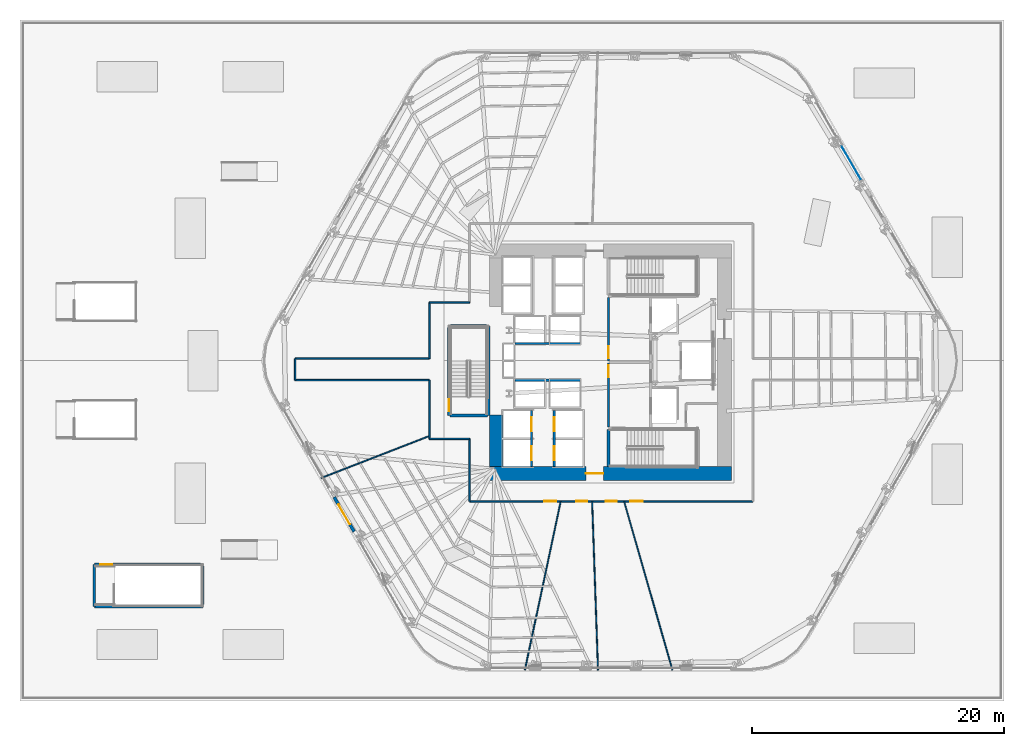
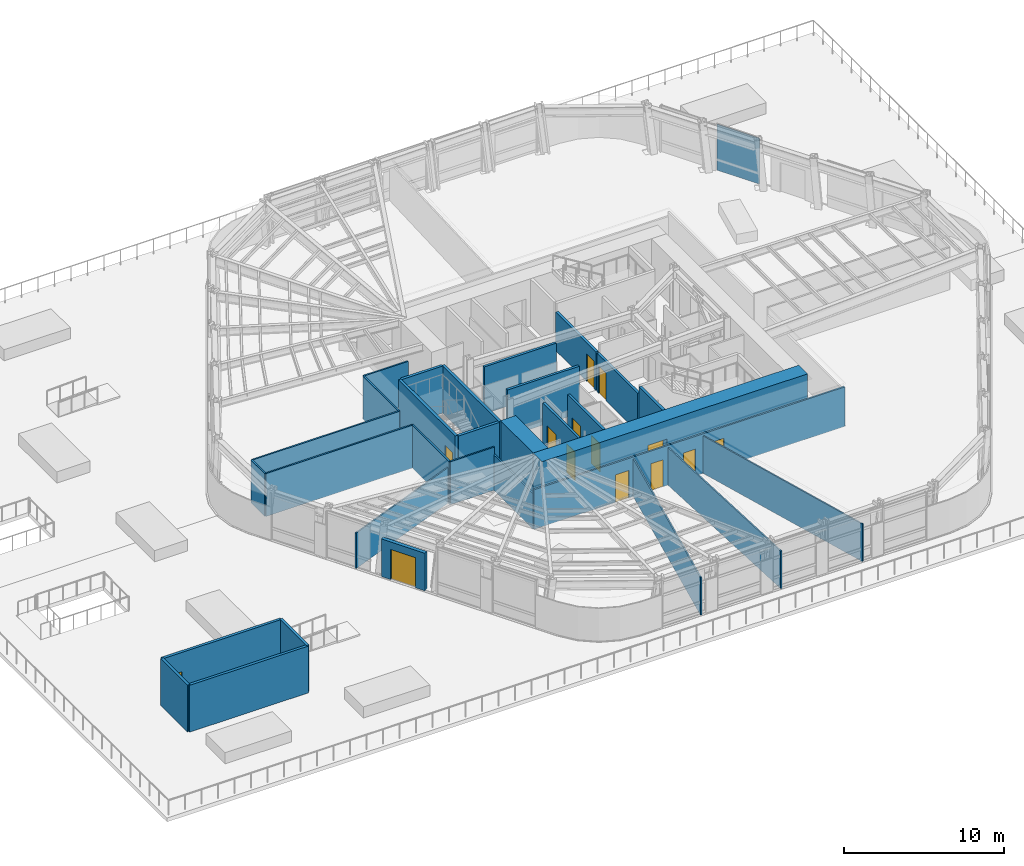
# One storey, part 8 of 18: 31 walls, 14 doors, 1 plate, 14 openings, 1 element without a shape of its own.
"""IFC4 building model written with IfcOpenShell, lengths in metres."""

from ifc_helpers import new_model, si_unit, direction, frame, frame_2d, origin, origin_2d, place, context, subcontext, project, spatial, rectangle, extrude, material, layer, layer_set, type_object, element, fill, aggregate, save


model = new_model("IFC4")

# Units and contexts
model_context = context("Model", 3, precision=1e-05, world=origin(), true_north=direction((0.0, 1.0)))
body_context = subcontext(model_context, "Body", "Model", "MODEL_VIEW")
ifc_project = project(units=[si_unit("LENGTHUNIT", "METRE"), si_unit("AREAUNIT", "SQUARE_METRE"), si_unit("VOLUMEUNIT", "CUBIC_METRE"), si_unit("PLANEANGLEUNIT", "RADIAN"), si_unit("MASSUNIT", "GRAM", prefix="KILO")], contexts=[model_context])

# Site, building, storey
site_placement = place(None, origin())
site = spatial("IfcSite", under=ifc_project, at=site_placement, CompositionType="ELEMENT")
building_placement = place(site_placement, origin())
building = spatial("IfcBuilding", under=site, at=building_placement, Name="Valkerne Bourse Tower", CompositionType="ELEMENT")
storey_placement = place(building_placement, frame((0.0, 0.0, 24.0)))
storey = spatial("IfcBuildingStorey", under=building, at=storey_placement, Name="L05", CompositionType="ELEMENT", Elevation=24.0)

# Curtain wall, plate
ifc_material_1 = material(Name="Aluminium AA 6063-T6", Category="aluminium")
ifc_layer_1 = layer(ifc_material_1, 0.22509765625)
ifc_layer_set_1 = layer_set([ifc_layer_1], Name="Aluminium AA 6063-T6")
curtain_wall_type = type_object("IfcCurtainWallType", Name="CW-01", PredefinedType="NOTDEFINED", material=ifc_layer_set_1)
curtain_wall_placement = place(storey_placement, origin())
curtain_wall = element("IfcCurtainWall", 1, at=curtain_wall_placement, inside=storey, type_object=curtain_wall_type, Name="L05 Hexagonal Stick Curtain Wall Face 1", PredefinedType="NOTDEFINED")
ifc_material_2 = material(Name="Glass IGU Low-E Double Glazed", Category="glass")
ifc_layer_2 = layer(ifc_material_2, 0.031982421875)
ifc_layer_set_2 = layer_set([ifc_layer_2], Name="Glass IGU Low-E Double Glazed")
plate_type = type_object("IfcPlateType", Name="CW-PNL-IGU-32", PredefinedType="CURTAIN_PANEL", material=ifc_layer_set_2)
plate_placement = place(storey_placement, frame((65.908935546875, 42.646728515625, 0.030029296875), z_axis=(0.0, 0.0, 1.0), x_axis=(-0.499993228951, 0.866029313016, 0.0)))
plate = element("IfcPlate", 2, at=plate_placement, type_object=plate_type, Name="CW-L05-F1 Curtain Panel 03", PredefinedType="CURTAIN_PANEL", context=body_context, shape_type="SweptSolid", body=[
    extrude(rectangle(XDim=3.076171875, YDim=0.031982421875, at=origin_2d()), origin(), (0.0, 0.0, 1.0), 3.52001953125),
])
aggregate(curtain_wall, [plate])

# Wall, opening, door
ifc_material_3 = material(Name="Concrete C70/85", Category="concrete")
ifc_layer_3 = layer(ifc_material_3, 1.10009765625)
ifc_layer_set_3 = layer_set([ifc_layer_3], Name="Concrete C70/85")
wall_type_1 = type_object("IfcWallType", Name="W-CORE-1100", PredefinedType="SHEAR", material=ifc_layer_set_3)
wall_1_placement = place(storey_placement, frame((37.199951171875, 18.050048828125, 0.0), z_axis=(0.0, 0.0, 1.0), x_axis=(1.0, 0.0, 0.0)))
wall_1 = element("IfcWall", 3, at=wall_1_placement, inside=storey, type_object=wall_type_1, Name="L05 Core Shear Wall SOUTH", PredefinedType="SHEAR", context=body_context, shape_type="SweptSolid", body=[
    extrude(rectangle(XDim=19.199951171875, YDim=1.10009765625, at=frame_2d((9.60009765625, 0.0))), origin(), (0.0, 0.0, 1.0), 3.580078125),
])
opening_1_placement = place(wall_1_placement, frame((7.64990234375, 0.0, 0.0)))
opening_1 = element("IfcOpeningElement", 4, at=opening_1_placement, cuts=wall_1, Name="Opening D-PL-1400", PredefinedType="OPENING", context=body_context, shape_type="SweptSolid", body=[
    extrude(rectangle(XDim=1.39990234375, YDim=2.14990234375, at=frame_2d((0.699951171875, 1.074951171875))), frame((0.0, 0.56005859375, 0.0), z_axis=(0.0, -1.0, 0.0), x_axis=(1.0, 0.0, 0.0)), (0.0, 0.0, 1.0), 1.1201171875),
])
ifc_material_4 = material(Name="Galvanised Painted Steel", Category="steel")
door_type_1 = type_object("IfcDoorType", Name="DR-PLT-1400", OperationType="DOUBLE_DOOR_SINGLE_SWING", PredefinedType="DOOR", material=ifc_material_4)
door_1_placement = place(opening_1_placement, origin())
door_1 = element("IfcDoor", 5, at=door_1_placement, inside=storey, type_object=door_type_1, Name="L05 South Passenger Lift Hall Fire Door", OperationType="DOUBLE_DOOR_SINGLE_SWING", OverallHeight=2.14990234375, OverallWidth=1.39990234375, PredefinedType="DOOR", context=body_context, shape_type="SweptSolid", body=[
    extrude(rectangle(XDim=1.39990234375, YDim=2.14990234375, at=frame_2d((0.699951171875, 1.074951171875))), frame((0.0, 0.02490234375, 0.0), z_axis=(0.0, -1.0, 0.0), x_axis=(1.0, 0.0, 0.0)), (0.0, 0.0, 1.0), 0.050048828125),
])
fill(opening_1, door_1)

# Wall
wall_2_placement = place(storey_placement, frame((37.75, 18.60009765625, 0.0), z_axis=(0.0, 0.0, 1.0), x_axis=(0.0, 1.0, 0.0)))
element("IfcWall", 6, at=wall_2_placement, inside=storey, type_object=wall_type_1, Name="L05 Core Shear Wall WEST-S", PredefinedType="SHEAR", context=body_context, shape_type="SweptSolid", body=[
    extrude(rectangle(XDim=4.099853515625, YDim=1.10009765625, at=frame_2d((2.0498046875, 0.0))), origin(), (0.0, 0.0, 1.0), 3.580078125),
])

# Wall, openings, doors
ifc_material_5 = material(Name="Gypsum Board Steel-Stud Partition", Category="steel")
ifc_layer_4 = layer(ifc_material_5, 0.117919921875)
ifc_layer_set_4 = layer_set([ifc_layer_4], Name="Gypsum Board Steel-Stud Partition")
wall_type_2 = type_object("IfcWallType", Name="W-CORR-140", PredefinedType="PARTITIONING", material=ifc_layer_set_4)
wall_3_placement = place(storey_placement, frame((58.10009765625, 15.85009765625, 0.0), z_axis=(0.0, 0.0, 1.0), x_axis=(-1.0, 0.0, 0.0)))
wall_3 = element("IfcWall", 7, at=wall_3_placement, inside=storey, type_object=wall_type_2, Name="L05 Corridor Enclosure Wall", PredefinedType="PARTITIONING", context=body_context, shape_type="SweptSolid", body=[
    extrude(rectangle(XDim=22.4501953125, YDim=0.117919921875, at=frame_2d((11.22509765625, 0.0))), origin(), (0.0, 0.0, 1.0), 3.021484375),
])
opening_2_placement = place(wall_3_placement, frame((13.135009765625, 0.0, 0.0)))
opening_2 = element("IfcOpeningElement", 8, at=opening_2_placement, cuts=wall_3, Name="Opening D-WC-900", PredefinedType="OPENING", context=body_context, shape_type="SweptSolid", body=[
    extrude(rectangle(XDim=0.860107421875, YDim=2.050048828125, at=frame_2d((0.43017578125, 1.02490234375))), frame((0.0, 0.06884765625, 0.0), z_axis=(0.0, -1.0, 0.0), x_axis=(1.0, 0.0, 0.0)), (0.0, 0.0, 1.0), 0.137939453125),
])
opening_3_placement = place(wall_3_placement, frame((10.794921875, 0.0, 0.0)))
opening_3 = element("IfcOpeningElement", 9, at=opening_3_placement, cuts=wall_3, Name="Opening D-WC-900", PredefinedType="OPENING", context=body_context, shape_type="SweptSolid", body=[
    extrude(rectangle(XDim=0.860107421875, YDim=2.050048828125, at=frame_2d((0.43017578125, 1.02490234375))), frame((0.0, 0.06884765625, 0.0), z_axis=(0.0, -1.0, 0.0), x_axis=(1.0, 0.0, 0.0)), (0.0, 0.0, 1.0), 0.137939453125),
])
opening_4_placement = place(wall_3_placement, frame((15.610107421875, 0.0, 0.0)))
opening_4 = element("IfcOpeningElement", 10, at=opening_4_placement, cuts=wall_3, Name="Opening D-OF-950", PredefinedType="OPENING", context=body_context, shape_type="SweptSolid", body=[
    extrude(rectangle(XDim=0.949951171875, YDim=2.10009765625, at=frame_2d((0.47509765625, 1.050048828125))), frame((0.0, 0.06884765625, 0.0), z_axis=(0.0, -1.0, 0.0), x_axis=(1.0, 0.0, 0.0)), (0.0, 0.0, 1.0), 0.137939453125),
])
opening_5_placement = place(wall_3_placement, frame((8.7451171875, 0.0, 0.0)))
opening_5 = element("IfcOpeningElement", 11, at=opening_5_placement, cuts=wall_3, Name="Opening D-MG-1000", PredefinedType="OPENING", context=body_context, shape_type="SweptSolid", body=[
    extrude(rectangle(XDim=1.0, YDim=2.14990234375, at=frame_2d((0.5, 1.074951171875))), frame((0.0, 0.06884765625, 0.0), z_axis=(0.0, -1.0, 0.0), x_axis=(1.0, 0.0, 0.0)), (0.0, 0.0, 1.0), 0.137939453125),
])
ifc_material_6 = material(Name="Laminated Tempered Safety Glass", Category="glass")
door_type_2 = type_object("IfcDoorType", Name="DR-MTG-1000", OperationType="NOTDEFINED", PredefinedType="DOOR", material=ifc_material_6)
door_2_placement = place(opening_5_placement, origin())
door_2 = element("IfcDoor", 12, at=door_2_placement, inside=storey, type_object=door_type_2, Name="L05 L05 Client Strategy Conference Room 5 Door", OperationType="SINGLE_SWING_RIGHT", OverallHeight=2.14990234375, OverallWidth=1.0, PredefinedType="DOOR", context=body_context, shape_type="SweptSolid", body=[
    extrude(rectangle(XDim=1.0, YDim=2.14990234375, at=frame_2d((0.5, 1.074951171875))), frame((0.0, 0.02490234375, 0.0), z_axis=(0.0, -1.0, 0.0), x_axis=(1.0, 0.0, 0.0)), (0.0, 0.0, 1.0), 0.050048828125),
])
fill(opening_5, door_2)
ifc_material_7 = material(Name="Architectural White Oak Timber", Category="wood")
door_type_3 = type_object("IfcDoorType", Name="DR-OFF-950", OperationType="NOTDEFINED", PredefinedType="DOOR", material=ifc_material_7)
door_3_placement = place(opening_4_placement, origin())
door_3 = element("IfcDoor", 13, at=door_3_placement, inside=storey, type_object=door_type_3, Name="L05 L05 Trading Desk Office 3 Door", OperationType="SINGLE_SWING_RIGHT", OverallHeight=2.10009765625, OverallWidth=0.949951171875, PredefinedType="DOOR", context=body_context, shape_type="SweptSolid", body=[
    extrude(rectangle(XDim=0.949951171875, YDim=2.10009765625, at=frame_2d((0.47509765625, 1.050048828125))), frame((0.0, 0.02490234375, 0.0), z_axis=(0.0, -1.0, 0.0), x_axis=(1.0, 0.0, 0.0)), (0.0, 0.0, 1.0), 0.050048828125),
])
fill(opening_4, door_3)
door_type_4 = type_object("IfcDoorType", Name="DR-WC-900", OperationType="NOTDEFINED", PredefinedType="DOOR", material=ifc_material_7)
door_4_placement = place(opening_2_placement, origin())
door_4 = element("IfcDoor", 14, at=door_4_placement, inside=storey, type_object=door_type_4, Name="L05 L05 Men Bathroom WC 1 Door", OperationType="SINGLE_SWING_RIGHT", OverallHeight=2.050048828125, OverallWidth=0.860107421875, PredefinedType="DOOR", context=body_context, shape_type="SweptSolid", body=[
    extrude(rectangle(XDim=0.860107421875, YDim=2.050048828125, at=frame_2d((0.43017578125, 1.02490234375))), frame((0.0, 0.02490234375, 0.0), z_axis=(0.0, -1.0, 0.0), x_axis=(1.0, 0.0, 0.0)), (0.0, 0.0, 1.0), 0.050048828125),
])
fill(opening_2, door_4)
door_5_placement = place(opening_3_placement, origin())
door_5 = element("IfcDoor", 15, at=door_5_placement, inside=storey, type_object=door_type_4, Name="L05 L05 Women Restroom & Shower WC 2 Door", OperationType="SINGLE_SWING_RIGHT", OverallHeight=2.050048828125, OverallWidth=0.860107421875, PredefinedType="DOOR", context=body_context, shape_type="SweptSolid", body=[
    extrude(rectangle(XDim=0.860107421875, YDim=2.050048828125, at=frame_2d((0.43017578125, 1.02490234375))), frame((0.0, 0.02490234375, 0.0), z_axis=(0.0, -1.0, 0.0), x_axis=(1.0, 0.0, 0.0)), (0.0, 0.0, 1.0), 0.050048828125),
])
fill(opening_3, door_5)

# Walls
wall_4_placement = place(storey_placement, frame((35.64990234375, 15.85009765625, 0.0), z_axis=(0.0, 0.0, 1.0), x_axis=(0.0, 1.0, 0.0)))
element("IfcWall", 16, at=wall_4_placement, inside=storey, type_object=wall_type_2, Name="L05 Corridor Enclosure Wall", PredefinedType="PARTITIONING", context=body_context, shape_type="SweptSolid", body=[
    extrude(rectangle(XDim=4.949951171875, YDim=0.117919921875, at=frame_2d((2.47509765625, 0.0))), origin(), (0.0, 0.0, 1.0), 2.71142578125),
])
wall_5_placement = place(storey_placement, frame((35.64990234375, 20.800048828125, 0.0), z_axis=(0.0, 0.0, 1.0), x_axis=(-1.0, 0.0, 0.0)))
element("IfcWall", 17, at=wall_5_placement, inside=storey, type_object=wall_type_2, Name="L05 Corridor Enclosure Wall", PredefinedType="PARTITIONING", context=body_context, shape_type="SweptSolid", body=[
    extrude(rectangle(XDim=3.199951171875, YDim=0.117919921875, at=frame_2d((1.60009765625, 0.0))), origin(), (0.0, 0.0, 1.0), 3.280029296875),
])
wall_6_placement = place(storey_placement, frame((32.449951171875, 20.800048828125, 0.0), z_axis=(0.0, 0.0, 1.0), x_axis=(0.0, 1.0, 0.0)))
element("IfcWall", 18, at=wall_6_placement, inside=storey, type_object=wall_type_2, Name="L05 Corridor Enclosure Wall", PredefinedType="PARTITIONING", context=body_context, shape_type="SweptSolid", body=[
    extrude(rectangle(XDim=4.64990234375, YDim=0.117919921875, at=frame_2d((2.324951171875, 0.0))), origin(), (0.0, 0.0, 1.0), 3.280029296875),
])
wall_7_placement = place(storey_placement, frame((32.449951171875, 25.449951171875, 0.0), z_axis=(0.0, 0.0, 1.0), x_axis=(-1.0, 0.0, 0.0)))
element("IfcWall", 19, at=wall_7_placement, inside=storey, type_object=wall_type_2, Name="L05 Corridor Enclosure Wall", PredefinedType="PARTITIONING", context=body_context, shape_type="SweptSolid", body=[
    extrude(rectangle(XDim=10.64990234375, YDim=0.117919921875, at=frame_2d((5.324951171875, 0.0))), origin(), (0.0, 0.0, 1.0), 3.280029296875),
])
wall_8_placement = place(storey_placement, frame((21.800048828125, 25.449951171875, 0.0), z_axis=(0.0, 0.0, 1.0), x_axis=(0.0, 1.0, 0.0)))
element("IfcWall", 20, at=wall_8_placement, inside=storey, type_object=wall_type_2, Name="L05 Corridor Enclosure Wall", PredefinedType="PARTITIONING", context=body_context, shape_type="SweptSolid", body=[
    extrude(rectangle(XDim=1.699951171875, YDim=0.117919921875, at=frame_2d((0.85009765625, 0.0))), origin(), (0.0, 0.0, 1.0), 3.280029296875),
])
wall_9_placement = place(storey_placement, frame((21.800048828125, 27.14990234375, 0.0), z_axis=(0.0, 0.0, 1.0), x_axis=(1.0, 0.0, 0.0)))
element("IfcWall", 21, at=wall_9_placement, inside=storey, type_object=wall_type_2, Name="L05 Corridor Enclosure Wall", PredefinedType="PARTITIONING", context=body_context, shape_type="SweptSolid", body=[
    extrude(rectangle(XDim=10.64990234375, YDim=0.117919921875, at=frame_2d((5.324951171875, 0.0))), origin(), (0.0, 0.0, 1.0), 3.280029296875),
])
wall_10_placement = place(storey_placement, frame((32.449951171875, 27.14990234375, 0.0), z_axis=(0.0, 0.0, 1.0), x_axis=(0.0, 1.0, 0.0)))
element("IfcWall", 22, at=wall_10_placement, inside=storey, type_object=wall_type_2, Name="L05 Corridor Enclosure Wall", PredefinedType="PARTITIONING", context=body_context, shape_type="SweptSolid", body=[
    extrude(rectangle(XDim=4.4501953125, YDim=0.117919921875, at=frame_2d((2.22509765625, 0.0))), origin(), (0.0, 0.0, 1.0), 3.280029296875),
])
wall_11_placement = place(storey_placement, frame((32.449951171875, 31.60009765625, 0.0), z_axis=(0.0, 0.0, 1.0), x_axis=(1.0, 0.0, 0.0)))
element("IfcWall", 23, at=wall_11_placement, inside=storey, type_object=wall_type_2, Name="L05 Corridor Enclosure Wall", PredefinedType="PARTITIONING", context=body_context, shape_type="SweptSolid", body=[
    extrude(rectangle(XDim=3.199951171875, YDim=0.117919921875, at=frame_2d((1.60009765625, 0.0))), origin(), (0.0, 0.0, 1.0), 3.280029296875),
])

# Wall, opening, door
ifc_material_8 = material(Name="Bronze Anodised Aluminium AA 6063-T6", Category="aluminium")
ifc_layer_5 = layer(ifc_material_8, 0.25)
ifc_layer_set_5 = layer_set([ifc_layer_5], Name="Bronze Anodised Aluminium AA 6063-T6")
wall_type_3 = type_object("IfcWallType", Name="W-EXT-TER-250", PredefinedType="STANDARD", material=ifc_layer_set_5)
wall_12_placement = place(storey_placement, frame((24.904052734375, 16.180419921875, 0.0), z_axis=(0.0, 0.0, 1.0), x_axis=(0.50003270617, -0.866006520045, 0.0)))
wall_12 = element("IfcWall", 24, at=wall_12_placement, inside=storey, type_object=wall_type_3, Name="L05 Garden Pavilion Access Portal Face 4", PredefinedType="STANDARD", context=body_context, shape_type="SweptSolid", body=[
    extrude(rectangle(XDim=3.156005859375, YDim=0.25, at=frame_2d((1.578125, 0.0))), origin(), (0.0, 0.0, 1.0), 2.867919921875),
])
opening_6_placement = place(wall_12_placement, frame((0.677978515625, 0.0, 0.0)))
opening_6 = element("IfcOpeningElement", 25, at=opening_6_placement, cuts=wall_12, Name="Opening DG-1800", PredefinedType="OPENING", context=body_context, shape_type="SweptSolid", body=[
    extrude(rectangle(XDim=1.800048828125, YDim=2.300048828125, at=frame_2d((0.89990234375, 1.14990234375))), frame((0.0, 0.135009765625, 0.0), z_axis=(0.0, -1.0, 0.0), x_axis=(1.0, 0.0, 0.0)), (0.0, 0.0, 1.0), 0.27001953125),
])
door_type_5 = type_object("IfcDoorType", Name="DR-EXT-GDN-1800", OperationType="DOUBLE_DOOR_SINGLE_SWING", PredefinedType="DOOR", material=ifc_material_2)
door_6_placement = place(opening_6_placement, origin())
door_6 = element("IfcDoor", 26, at=door_6_placement, inside=storey, type_object=door_type_5, Name="L05 Raised Public Garden Double Door 4", OperationType="DOUBLE_DOOR_SINGLE_SWING", OverallHeight=2.300048828125, OverallWidth=1.800048828125, PredefinedType="DOOR", context=body_context, shape_type="SweptSolid", body=[
    extrude(rectangle(XDim=1.800048828125, YDim=2.300048828125, at=frame_2d((0.89990234375, 1.14990234375))), frame((0.0, 0.02490234375, 0.0), z_axis=(0.0, -1.0, 0.0), x_axis=(1.0, 0.0, 0.0)), (0.0, 0.0, 1.0), 0.050048828125),
])
fill(opening_6, door_6)

ifc_material_9 = material(Name="Gypsum Fire-Rated Shaftwall", Category="gypsum")
ifc_layer_6 = layer(ifc_material_9, 0.179931640625)
ifc_layer_set_6 = layer_set([ifc_layer_6], Name="Gypsum Fire-Rated Shaftwall")
wall_type_4 = type_object("IfcWallType", Name="W-FSAE-180", PredefinedType="PARTITIONING", material=ifc_layer_set_6)
wall_13_placement = place(storey_placement, frame((46.64990234375, 21.75, 0.0), z_axis=(0.0, 0.0, 1.0), x_axis=(0.0, 1.0, 0.0)))
wall_13 = element("IfcWall", 27, at=wall_13_placement, inside=storey, type_object=wall_type_4, Name="L05 FSAE-1 Lobby West Fire Wall", PredefinedType="PARTITIONING", context=body_context, shape_type="SweptSolid", body=[
    extrude(rectangle(XDim=5.050048828125, YDim=0.179931640625, at=frame_2d((2.52490234375, 0.0))), origin(), (0.0, 0.0, 1.0), 2.9580078125),
])
opening_7_placement = place(wall_13_placement, frame((3.919921875, 0.0, 0.0)))
opening_7 = element("IfcOpeningElement", 28, at=opening_7_placement, cuts=wall_13, Name="Opening D-FS-950", PredefinedType="OPENING", context=body_context, shape_type="SweptSolid", body=[
    extrude(rectangle(XDim=0.949951171875, YDim=2.10009765625, at=frame_2d((0.47509765625, 1.050048828125))), frame((0.0, 0.099853515625, 0.0), z_axis=(0.0, -1.0, 0.0), x_axis=(1.0, 0.0, 0.0)), (0.0, 0.0, 1.0), 0.199951171875),
])
door_type_6 = type_object("IfcDoorType", Name="DR-FSAE-950", OperationType="NOTDEFINED", PredefinedType="DOOR", material=ifc_material_4)
door_7_placement = place(opening_7_placement, origin())
door_7 = element("IfcDoor", 29, at=door_7_placement, inside=storey, type_object=door_type_6, Name="L05 FSAE-1 Hall Link Fire Door", OperationType="SINGLE_SWING_LEFT", OverallHeight=2.10009765625, OverallWidth=0.949951171875, PredefinedType="DOOR", context=body_context, shape_type="SweptSolid", body=[
    extrude(rectangle(XDim=0.949951171875, YDim=2.10009765625, at=frame_2d((0.47509765625, 1.050048828125))), frame((0.0, 0.02490234375, 0.0), z_axis=(0.0, -1.0, 0.0), x_axis=(1.0, 0.0, 0.0)), (0.0, 0.0, 1.0), 0.050048828125),
])
fill(opening_7, door_7)

wall_14_placement = place(storey_placement, frame((46.64990234375, 26.9599609375, 0.0), z_axis=(0.0, 0.0, 1.0), x_axis=(0.0, 1.0, 0.0)))
wall_14 = element("IfcWall", 30, at=wall_14_placement, inside=storey, type_object=wall_type_4, Name="L05 FSAE-2 Lobby West Fire Wall", PredefinedType="PARTITIONING", context=body_context, shape_type="SweptSolid", body=[
    extrude(rectangle(XDim=5.0400390625, YDim=0.179931640625, at=frame_2d((2.52001953125, 0.0))), origin(), (0.0, 0.0, 1.0), 2.9580078125),
])
opening_8_placement = place(wall_14_placement, frame((0.219970703125, 0.0, 0.0)))
opening_8 = element("IfcOpeningElement", 31, at=opening_8_placement, cuts=wall_14, Name="Opening D-FS-950", PredefinedType="OPENING", context=body_context, shape_type="SweptSolid", body=[
    extrude(rectangle(XDim=0.949951171875, YDim=2.10009765625, at=frame_2d((0.47509765625, 1.050048828125))), frame((0.0, 0.099853515625, 0.0), z_axis=(0.0, -1.0, 0.0), x_axis=(1.0, 0.0, 0.0)), (0.0, 0.0, 1.0), 0.199951171875),
])
door_8_placement = place(opening_8_placement, origin())
door_8 = element("IfcDoor", 32, at=door_8_placement, inside=storey, type_object=door_type_6, Name="L05 FSAE-2 Hall Link Fire Door", OperationType="SINGLE_SWING_LEFT", OverallHeight=2.10009765625, OverallWidth=0.949951171875, PredefinedType="DOOR", context=body_context, shape_type="SweptSolid", body=[
    extrude(rectangle(XDim=0.949951171875, YDim=2.10009765625, at=frame_2d((0.47509765625, 1.050048828125))), frame((0.0, 0.02490234375, 0.0), z_axis=(0.0, -1.0, 0.0), x_axis=(1.0, 0.0, 0.0)), (0.0, 0.0, 1.0), 0.050048828125),
])
fill(opening_8, door_8)

# Wall, openings, doors
ifc_material_10 = material(Name="CMU Blockwork Masonry 200mm", Category="masonry")
ifc_layer_7 = layer(ifc_material_10, 0.179931640625)
ifc_layer_set_7 = layer_set([ifc_layer_7], Name="CMU Blockwork Masonry 200mm")
wall_type_5 = type_object("IfcWallType", Name="W-LFT-180", PredefinedType="SOLIDWALL", material=ifc_layer_set_7)
wall_15_placement = place(storey_placement, frame((40.550048828125, 18.6201171875, 0.0), z_axis=(0.0, 0.0, 1.0), x_axis=(0.0, 1.0, 0.0)))
wall_15 = element("IfcWall", 33, at=wall_15_placement, inside=storey, type_object=wall_type_5, Name="L05 Low-Zone West Cars Front Wall", PredefinedType="SOLIDWALL", context=body_context, shape_type="SweptSolid", body=[
    extrude(rectangle(XDim=4.429931640625, YDim=0.179931640625, at=frame_2d((2.21484375, 0.0))), origin(), (0.0, 0.0, 1.0), 3.580078125),
])
opening_9_placement = place(wall_15_placement, frame((0.5, 0.0, 0.0)))
opening_9 = element("IfcOpeningElement", 34, at=opening_9_placement, cuts=wall_15, Name="Opening LD-1100", PredefinedType="OPENING", context=body_context, shape_type="SweptSolid", body=[
    extrude(rectangle(XDim=1.10009765625, YDim=2.14990234375, at=frame_2d((0.550048828125, 1.074951171875))), frame((0.0, 0.099853515625, 0.0), z_axis=(0.0, -1.0, 0.0), x_axis=(1.0, 0.0, 0.0)), (0.0, 0.0, 1.0), 0.199951171875),
])
opening_10_placement = place(wall_15_placement, frame((2.800048828125, 0.0, 0.0)))
opening_10 = element("IfcOpeningElement", 35, at=opening_10_placement, cuts=wall_15, Name="Opening LD-1100", PredefinedType="OPENING", context=body_context, shape_type="SweptSolid", body=[
    extrude(rectangle(XDim=1.10009765625, YDim=2.14990234375, at=frame_2d((0.550048828125, 1.074951171875))), frame((0.0, 0.099853515625, 0.0), z_axis=(0.0, -1.0, 0.0), x_axis=(1.0, 0.0, 0.0)), (0.0, 0.0, 1.0), 0.199951171875),
])
ifc_material_11 = material(Name="Stainless Steel AISI 316", Category="steel")
door_type_7 = type_object("IfcDoorType", Name="DR-LIFT-1100", OperationType="DOUBLE_DOOR_SLIDING", PredefinedType="DOOR", material=ifc_material_11)
door_9_placement = place(opening_9_placement, origin())
door_9 = element("IfcDoor", 36, at=door_9_placement, inside=storey, type_object=door_type_7, Name="L05 Passenger Lift PL-L1 Sliding Landing Door", OperationType="DOUBLE_DOOR_SLIDING", OverallHeight=2.14990234375, OverallWidth=1.10009765625, PredefinedType="DOOR", context=body_context, shape_type="SweptSolid", body=[
    extrude(rectangle(XDim=1.10009765625, YDim=2.14990234375, at=frame_2d((0.550048828125, 1.074951171875))), frame((0.0, 0.02490234375, 0.0), z_axis=(0.0, -1.0, 0.0), x_axis=(1.0, 0.0, 0.0)), (0.0, 0.0, 1.0), 0.050048828125),
])
fill(opening_9, door_9)
door_10_placement = place(opening_10_placement, origin())
door_10 = element("IfcDoor", 37, at=door_10_placement, inside=storey, type_object=door_type_7, Name="L05 Passenger Lift PL-L2 Sliding Landing Door", OperationType="DOUBLE_DOOR_SLIDING", OverallHeight=2.14990234375, OverallWidth=1.10009765625, PredefinedType="DOOR", context=body_context, shape_type="SweptSolid", body=[
    extrude(rectangle(XDim=1.10009765625, YDim=2.14990234375, at=frame_2d((0.550048828125, 1.074951171875))), frame((0.0, 0.02490234375, 0.0), z_axis=(0.0, -1.0, 0.0), x_axis=(1.0, 0.0, 0.0)), (0.0, 0.0, 1.0), 0.050048828125),
])
fill(opening_10, door_10)

wall_16_placement = place(storey_placement, frame((42.35009765625, 18.6201171875, 0.0), z_axis=(0.0, 0.0, 1.0), x_axis=(0.0, 1.0, 0.0)))
wall_16 = element("IfcWall", 38, at=wall_16_placement, inside=storey, type_object=wall_type_5, Name="L05 Low-Zone East Cars Front Wall", PredefinedType="SOLIDWALL", context=body_context, shape_type="SweptSolid", body=[
    extrude(rectangle(XDim=4.429931640625, YDim=0.179931640625, at=frame_2d((2.21484375, 0.0))), origin(), (0.0, 0.0, 1.0), 3.580078125),
])
opening_11_placement = place(wall_16_placement, frame((0.5, 0.0, 0.0)))
opening_11 = element("IfcOpeningElement", 39, at=opening_11_placement, cuts=wall_16, Name="Opening LD-1100", PredefinedType="OPENING", context=body_context, shape_type="SweptSolid", body=[
    extrude(rectangle(XDim=1.10009765625, YDim=2.14990234375, at=frame_2d((0.550048828125, 1.074951171875))), frame((0.0, 0.099853515625, 0.0), z_axis=(0.0, -1.0, 0.0), x_axis=(1.0, 0.0, 0.0)), (0.0, 0.0, 1.0), 0.199951171875),
])
opening_12_placement = place(wall_16_placement, frame((2.800048828125, 0.0, 0.0)))
opening_12 = element("IfcOpeningElement", 40, at=opening_12_placement, cuts=wall_16, Name="Opening LD-1100", PredefinedType="OPENING", context=body_context, shape_type="SweptSolid", body=[
    extrude(rectangle(XDim=1.10009765625, YDim=2.14990234375, at=frame_2d((0.550048828125, 1.074951171875))), frame((0.0, 0.099853515625, 0.0), z_axis=(0.0, -1.0, 0.0), x_axis=(1.0, 0.0, 0.0)), (0.0, 0.0, 1.0), 0.199951171875),
])
door_11_placement = place(opening_11_placement, origin())
door_11 = element("IfcDoor", 41, at=door_11_placement, inside=storey, type_object=door_type_7, Name="L05 Passenger Lift PL-L3 Sliding Landing Door", OperationType="DOUBLE_DOOR_SLIDING", OverallHeight=2.14990234375, OverallWidth=1.10009765625, PredefinedType="DOOR", context=body_context, shape_type="SweptSolid", body=[
    extrude(rectangle(XDim=1.10009765625, YDim=2.14990234375, at=frame_2d((0.550048828125, 1.074951171875))), frame((0.0, 0.02490234375, 0.0), z_axis=(0.0, -1.0, 0.0), x_axis=(1.0, 0.0, 0.0)), (0.0, 0.0, 1.0), 0.050048828125),
])
fill(opening_11, door_11)
door_12_placement = place(opening_12_placement, origin())
door_12 = element("IfcDoor", 42, at=door_12_placement, inside=storey, type_object=door_type_7, Name="L05 Passenger Lift PL-L4 Sliding Landing Door", OperationType="DOUBLE_DOOR_SLIDING", OverallHeight=2.14990234375, OverallWidth=1.10009765625, PredefinedType="DOOR", context=body_context, shape_type="SweptSolid", body=[
    extrude(rectangle(XDim=1.10009765625, YDim=2.14990234375, at=frame_2d((0.550048828125, 1.074951171875))), frame((0.0, 0.02490234375, 0.0), z_axis=(0.0, -1.0, 0.0), x_axis=(1.0, 0.0, 0.0)), (0.0, 0.0, 1.0), 0.050048828125),
])
fill(opening_12, door_12)

# Walls
for number, where, z_axis, x_axis, name in (
    (43, (39.25, 25.449951171875, 0.0), (0.0, 0.0, 1.0), (1.0, 0.0, 0.0), "L05 High-Zone South Cars Front Wall"),
    (44, (39.25, 28.35009765625, 0.0), (0.0, 0.0, 1.0), (1.0, 0.0, 0.0), "L05 High-Zone North Cars Front Wall"),
):
    element("IfcWall", number, at=place(storey_placement, frame(where, z_axis=z_axis, x_axis=x_axis)), inside=storey, type_object=wall_type_5, Name=name, PredefinedType="SOLIDWALL", context=body_context, shape_type="SweptSolid", body=[
        extrude(rectangle(XDim=5.199951171875, YDim=0.179931640625, at=frame_2d((2.60009765625, 0.0))), origin(), (0.0, 0.0, 1.0), 3.580078125),
    ])
ifc_layer_8 = layer(ifc_material_5, 0.092041015625)
ifc_layer_set_8 = layer_set([ifc_layer_8], Name="Gypsum Board Steel-Stud Partition")
wall_type_6 = type_object("IfcWallType", Name="W-PART-115", PredefinedType="PARTITIONING", material=ifc_layer_set_8)
wall_17_placement = place(storey_placement, frame((42.86279296875, 15.844970703125, 0.0), z_axis=(0.0, 0.0, 1.0), x_axis=(-0.207921131751, -0.978145593954, 0.0)))
element("IfcWall", 45, at=wall_17_placement, inside=storey, type_object=wall_type_6, Name="L05 Suite Partition P01", PredefinedType="PARTITIONING", context=body_context, shape_type="SweptSolid", body=[
    extrude(rectangle(XDim=13.6689453125, YDim=0.092041015625, at=frame_2d((6.83447265625, 0.0))), origin(), (0.0, 0.0, 1.0), 2.86376953125),
])
wall_18_placement = place(storey_placement, frame((45.35107421875, 15.844970703125, 0.0), z_axis=(0.0, 0.0, 1.0), x_axis=(0.034910414189, -0.999390445712, 0.0)))
element("IfcWall", 46, at=wall_18_placement, inside=storey, type_object=wall_type_6, Name="L05 Suite Partition P02", PredefinedType="PARTITIONING", context=body_context, shape_type="SweptSolid", body=[
    extrude(rectangle(XDim=13.378173828125, YDim=0.092041015625, at=frame_2d((6.68896484375, 0.0))), origin(), (0.0, 0.0, 1.0), 2.86376953125),
])
wall_19_placement = place(storey_placement, frame((47.88330078125, 15.844970703125, 0.0), z_axis=(0.0, 0.0, 1.0), x_axis=(0.275632095822, -0.961263204202, 0.0)))
element("IfcWall", 47, at=wall_19_placement, inside=storey, type_object=wall_type_6, Name="L05 Suite Partition P03", PredefinedType="PARTITIONING", context=body_context, shape_type="SweptSolid", body=[
    extrude(rectangle(XDim=13.908935546875, YDim=0.092041015625, at=frame_2d((6.95458984375, 0.0))), origin(), (0.0, 0.0, 1.0), 2.86376953125),
])
wall_20_placement = place(storey_placement, frame((32.445068359375, 21.025634765625, 0.0), z_axis=(0.0, 0.0, 1.0), x_axis=(-0.932212863697, -0.361910454061, 0.0)))
element("IfcWall", 48, at=wall_20_placement, inside=storey, type_object=wall_type_6, Name="L05 Suite Partition P05", PredefinedType="PARTITIONING", context=body_context, shape_type="SweptSolid", body=[
    extrude(rectangle(XDim=9.214111328125, YDim=0.092041015625, at=frame_2d((4.60693359375, 0.0))), origin(), (0.0, 0.0, 1.0), 2.71142578125),
])
ifc_material_12 = material(Name="Concrete C40/50", Category="concrete")
ifc_layer_9 = layer(ifc_material_12, 0.199951171875)
ifc_layer_set_9 = layer_set([ifc_layer_9], Name="Concrete C40/50")
wall_type_7 = type_object("IfcWallType", Name="W-SHF-200", PredefinedType="SHEAR", material=ifc_layer_set_9)
wall_21_placement = place(storey_placement, frame((46.64990234375, 18.60009765625, 0.0), z_axis=(0.0, 0.0, 1.0), x_axis=(0.0, 1.0, 0.0)))
element("IfcWall", 49, at=wall_21_placement, inside=storey, type_object=wall_type_7, Name="L05 Exit Stair ST-1 Structural Shaft Wall West", PredefinedType="SHEAR", context=body_context, shape_type="SweptSolid", body=[
    extrude(rectangle(XDim=2.949951171875, YDim=0.199951171875, at=frame_2d((1.47509765625, 0.0))), origin(), (0.0, 0.0, 1.0), 3.580078125),
])

# Wall, opening, door
wall_22_placement = place(storey_placement, frame((34.0, 22.64990234375, 0.0), z_axis=(0.0, 0.0, 1.0), x_axis=(0.0, 1.0, 0.0)))
wall_22 = element("IfcWall", 50, at=wall_22_placement, inside=storey, type_object=wall_type_7, Name="L05 Exit Stair ST-3 Structural Shaft Wall West", PredefinedType="SHEAR", context=body_context, shape_type="SweptSolid", body=[
    extrude(rectangle(XDim=7.10009765625, YDim=0.199951171875, at=frame_2d((3.550048828125, 0.0))), origin(), (0.0, 0.0, 1.0), 3.580078125),
])
opening_13_placement = place(wall_22_placement, frame((0.35009765625, 0.0, 0.0)))
opening_13 = element("IfcOpeningElement", 51, at=opening_13_placement, cuts=wall_22, Name="Opening D-ST-950", PredefinedType="OPENING", context=body_context, shape_type="SweptSolid", body=[
    extrude(rectangle(XDim=0.949951171875, YDim=2.10009765625, at=frame_2d((0.47509765625, 1.050048828125))), frame((0.0, 0.10986328125, 0.0), z_axis=(0.0, -1.0, 0.0), x_axis=(1.0, 0.0, 0.0)), (0.0, 0.0, 1.0), 0.219970703125),
])
door_type_8 = type_object("IfcDoorType", Name="DR-STAIR-950", OperationType="NOTDEFINED", PredefinedType="DOOR", material=ifc_material_4)
door_13_placement = place(opening_13_placement, origin())
door_13 = element("IfcDoor", 52, at=door_13_placement, inside=storey, type_object=door_type_8, Name="L05 Exit Stair ST-3 Door", OperationType="SINGLE_SWING_LEFT", OverallHeight=2.10009765625, OverallWidth=0.949951171875, PredefinedType="DOOR", context=body_context, shape_type="SweptSolid", body=[
    extrude(rectangle(XDim=0.949951171875, YDim=2.10009765625, at=frame_2d((0.47509765625, 1.050048828125))), frame((0.0, 0.02490234375, 0.0), z_axis=(0.0, -1.0, 0.0), x_axis=(1.0, 0.0, 0.0)), (0.0, 0.0, 1.0), 0.050048828125),
])
fill(opening_13, door_13)

# Walls
for number, where, z_axis, x_axis, name in (
    (53, (34.10009765625, 22.64990234375, 0.0), (0.0, 0.0, 1.0), (1.0, 0.0, 0.0), "L05 Exit Stair ST-3 Structural Shaft Wall South"),
    (54, (34.10009765625, 29.75, 0.0), (0.0, 0.0, 1.0), (1.0, 0.0, 0.0), "L05 Exit Stair ST-3 Structural Shaft Wall North"),
):
    element("IfcWall", number, at=place(storey_placement, frame(where, z_axis=z_axis, x_axis=x_axis)), inside=storey, type_object=wall_type_7, Name=name, PredefinedType="SHEAR", context=body_context, shape_type="SweptSolid", body=[
        extrude(rectangle(XDim=2.949951171875, YDim=0.199951171875, at=frame_2d((1.47509765625, 0.0))), origin(), (0.0, 0.0, 1.0), 3.580078125),
    ])
wall_23_placement = place(storey_placement, frame((37.14990234375, 22.64990234375, 0.0), z_axis=(0.0, 0.0, 1.0), x_axis=(0.0, 1.0, 0.0)))
element("IfcWall", 55, at=wall_23_placement, inside=storey, type_object=wall_type_7, Name="L05 Exit Stair ST-3 Structural Shaft Wall East", PredefinedType="SHEAR", context=body_context, shape_type="SweptSolid", body=[
    extrude(rectangle(XDim=7.10009765625, YDim=0.199951171875, at=frame_2d((3.550048828125, 0.0))), origin(), (0.0, 0.0, 1.0), 3.580078125),
])
wall_24_placement = place(storey_placement, frame((5.89990234375, 7.5, 0.0), z_axis=(0.0, 0.0, 1.0), x_axis=(1.0, 0.0, 0.0)))
element("IfcWall", 56, at=wall_24_placement, inside=storey, type_object=wall_type_7, Name="L05 Exit Stair ST-P1 Structural South Wall", PredefinedType="SHEAR", context=body_context, shape_type="SweptSolid", body=[
    extrude(rectangle(XDim=8.60009765625, YDim=0.199951171875, at=frame_2d((4.300048828125, 0.0))), origin(), (0.0, 0.0, 1.0), 3.580078125),
])

# Wall, opening, door
wall_25_placement = place(storey_placement, frame((5.89990234375, 10.85009765625, 0.0), z_axis=(0.0, 0.0, 1.0), x_axis=(1.0, 0.0, 0.0)))
wall_25 = element("IfcWall", 57, at=wall_25_placement, inside=storey, type_object=wall_type_7, Name="L05 Exit Stair ST-P1 Structural North Wall", PredefinedType="SHEAR", context=body_context, shape_type="SweptSolid", body=[
    extrude(rectangle(XDim=8.60009765625, YDim=0.199951171875, at=frame_2d((4.300048828125, 0.0))), origin(), (0.0, 0.0, 1.0), 3.580078125),
])
opening_14_placement = place(wall_25_placement, frame((0.449951171875, 0.0, 0.0)))
opening_14 = element("IfcOpeningElement", 58, at=opening_14_placement, cuts=wall_25, Name="Opening D-ST-950", PredefinedType="OPENING", context=body_context, shape_type="SweptSolid", body=[
    extrude(rectangle(XDim=0.949951171875, YDim=2.10009765625, at=frame_2d((0.47509765625, 1.050048828125))), frame((0.0, 0.10986328125, 0.0), z_axis=(0.0, -1.0, 0.0), x_axis=(1.0, 0.0, 0.0)), (0.0, 0.0, 1.0), 0.219970703125),
])
door_14_placement = place(opening_14_placement, origin())
door_14 = element("IfcDoor", 59, at=door_14_placement, inside=storey, type_object=door_type_8, Name="L05 Exit Stair ST-P1 Door", OperationType="SINGLE_SWING_LEFT", OverallHeight=2.10009765625, OverallWidth=0.949951171875, PredefinedType="DOOR", context=body_context, shape_type="SweptSolid", body=[
    extrude(rectangle(XDim=0.949951171875, YDim=2.10009765625, at=frame_2d((0.47509765625, 1.050048828125))), frame((0.0, 0.02490234375, 0.0), z_axis=(0.0, -1.0, 0.0), x_axis=(1.0, 0.0, 0.0)), (0.0, 0.0, 1.0), 0.050048828125),
])
fill(opening_14, door_14)

# Walls
for number, where, z_axis, x_axis, name in (
    (60, (5.89990234375, 7.5, 0.0), (0.0, 0.0, 1.0), (0.0, 1.0, 0.0), "L05 Exit Stair ST-P1 Structural West Wall"),
    (61, (14.5, 7.5, 0.0), (0.0, 0.0, 1.0), (0.0, 1.0, 0.0), "L05 Exit Stair ST-P1 Structural East Wall"),
):
    element("IfcWall", number, at=place(storey_placement, frame(where, z_axis=z_axis, x_axis=x_axis)), inside=storey, type_object=wall_type_7, Name=name, PredefinedType="SHEAR", context=body_context, shape_type="SweptSolid", body=[
        extrude(rectangle(XDim=3.35009765625, YDim=0.199951171875, at=frame_2d((1.675048828125, 0.0))), origin(), (0.0, 0.0, 1.0), 3.580078125),
    ])

save(model, "model.ifc")
